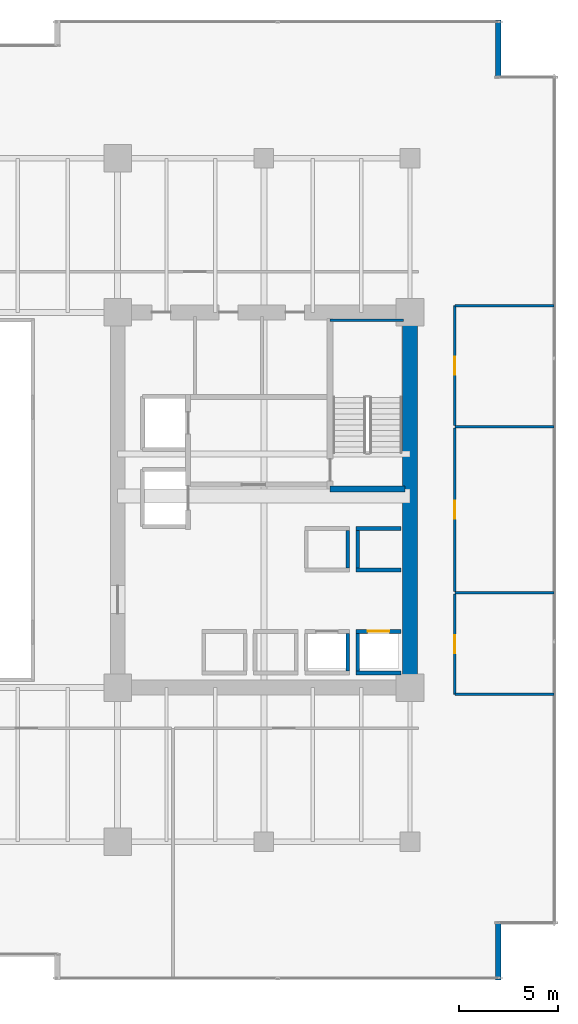
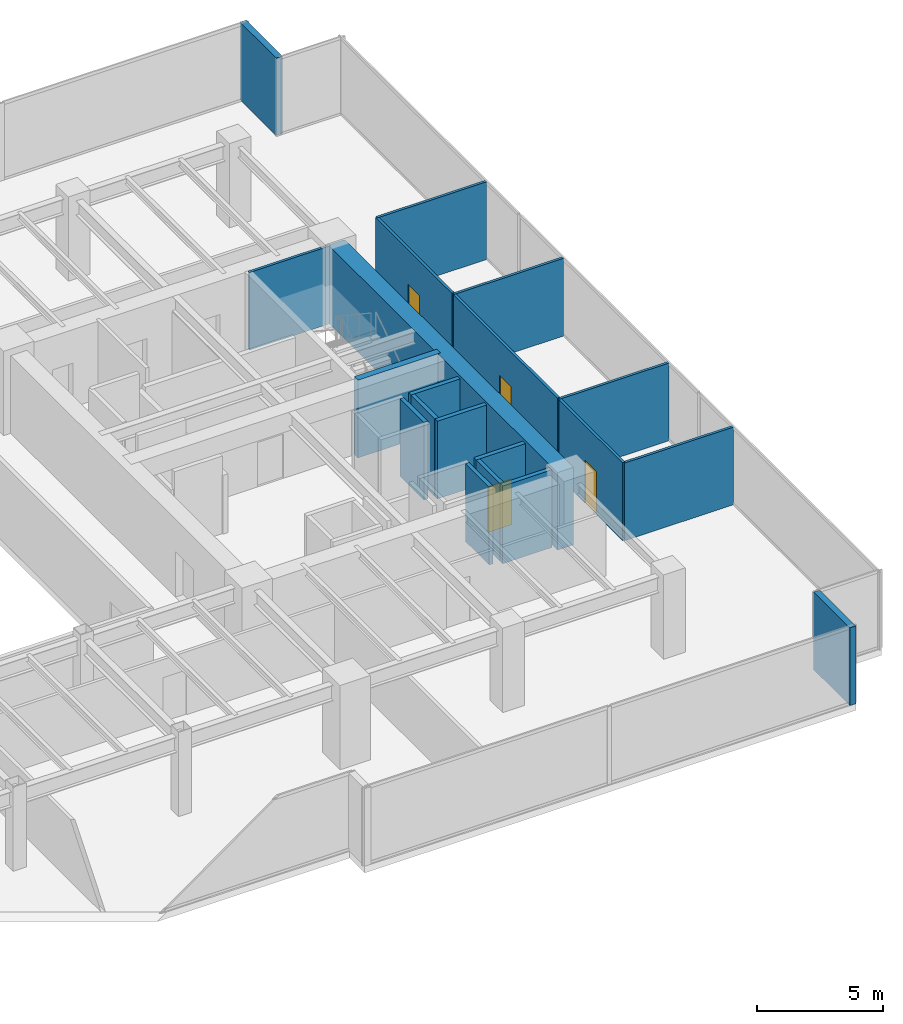
# One storey, part 32 of 35: 20 walls, 4 doors, 4 openings.
"""IFC4 building model written with IfcOpenShell, lengths in metres."""

from ifc_helpers import new_model, si_unit, direction, frame, frame_2d, origin, place, context, subcontext, project, spatial, rectangle, extrude, source, transform, mapped, material, layer, layer_set, type_object, type_shapes, element, fill, save


model = new_model("IFC4")

# Units and contexts
model_context = context("Model", 3, precision=1e-05, world=origin(), true_north=direction((0.0, 1.0)))
body_context = subcontext(model_context, "Body", "Model", "MODEL_VIEW")
ifc_project = project(units=[si_unit("LENGTHUNIT", "METRE"), si_unit("AREAUNIT", "SQUARE_METRE"), si_unit("VOLUMEUNIT", "CUBIC_METRE"), si_unit("PLANEANGLEUNIT", "RADIAN"), si_unit("MASSUNIT", "GRAM", prefix="KILO")], contexts=[model_context])

# Site, building, storey
site_placement = place(None, origin())
site = spatial("IfcSite", under=ifc_project, at=site_placement, CompositionType="ELEMENT")
building_placement = place(site_placement, origin())
building = spatial("IfcBuilding", under=site, at=building_placement, Name="Haelvirn Gate Laboratories", CompositionType="ELEMENT")
storey_placement = place(building_placement, frame((0.0, 0.0, 45.699951171875)))
storey = spatial("IfcBuildingStorey", under=building, at=storey_placement, Name="L11", CompositionType="ELEMENT", Elevation=45.699951171875)

# Walls
ifc_material_1 = material(Name="Thermally-broken bronze aluminium rainscreen & mineral wool", Category="aluminium")
ifc_layer_1 = layer(ifc_material_1, 0.280029296875, Name="EW-TERR-280")
ifc_layer_set_1 = layer_set([ifc_layer_1], Name="Thermally-broken bronze aluminium rainscreen & mineral wool")
wall_type_1 = type_object("IfcWallType", Name="EW-TERR-280", PredefinedType="STANDARD", material=ifc_layer_set_1)
wall_1_placement = place(storey_placement, frame((71.860107421875, 0.0, 0.0), z_axis=(0.0, 0.0, 1.0), x_axis=(0.0, 1.0, 0.0)))
element("IfcWall", 1, at=wall_1_placement, inside=storey, type_object=wall_type_1, Name="L11 Atrium Recess Bronze Return Wall 05", PredefinedType="STANDARD", context=body_context, shape_type="SweptSolid", body=[
    extrude(rectangle(XDim=2.887939453125, YDim=0.280029296875, at=frame_2d((1.44384765625, 0.0))), origin(), (0.0, 0.0, 1.0), 3.780029296875),
])
wall_2_placement = place(storey_placement, frame((71.860107421875, 45.7119140625, 0.0), z_axis=(0.0, 0.0, 1.0), x_axis=(0.0, 1.0, 0.0)))
element("IfcWall", 2, at=wall_2_placement, inside=storey, type_object=wall_type_1, Name="L11 Atrium Recess Bronze Return Wall 09", PredefinedType="STANDARD", context=body_context, shape_type="SweptSolid", body=[
    extrude(rectangle(XDim=2.88818359375, YDim=0.280029296875, at=frame_2d((1.444091796875, 0.0))), origin(), (0.0, 0.0, 1.0), 3.780029296875),
])
ifc_material_2 = material(Name="Lightweight acoustic gypsum board partition", Category="gypsum")
ifc_layer_2 = layer(ifc_material_2, 0.1201171875, Name="IW-PART-120")
ifc_layer_set_2 = layer_set([ifc_layer_2], Name="Lightweight acoustic gypsum board partition")
wall_type_2 = type_object("IfcWallType", Name="IW-PART-120", PredefinedType="PARTITIONING", material=ifc_layer_set_2)
for number, where, z_axis, x_axis, name in (
    (3, (69.669921875, 14.465087890625, 0.0), (0.0, 0.0, 1.0), (1.0, 0.0, 0.0), "L11 Interior Wall IW-L11-ECAP-S"),
    (4, (69.669921875, 34.135009765625, 0.0), (0.0, 0.0, 1.0), (1.0, 0.0, 0.0), "L11 Interior Wall IW-L11-ECAP-N"),
):
    element("IfcWall", number, at=place(storey_placement, frame(where, z_axis=z_axis, x_axis=x_axis)), inside=storey, type_object=wall_type_2, Name=name, PredefinedType="PARTITIONING", context=body_context, shape_type="SweptSolid", body=[
        extrude(rectangle(XDim=5.02001953125, YDim=0.1201171875, at=frame_2d((2.510009765625, 0.0))), origin(), (0.0, 0.0, 1.0), 3.780029296875),
    ])

# Wall, opening, door
wall_3_placement = place(storey_placement, frame((69.669921875, 14.465087890625, 0.0), z_axis=(0.0, 0.0, 1.0), x_axis=(0.0, 1.0, 0.0)))
wall_3 = element("IfcWall", 5, at=wall_3_placement, inside=storey, type_object=wall_type_2, Name="L11 Interior Wall IW-L11-EPASS-01", PredefinedType="PARTITIONING", context=body_context, shape_type="SweptSolid", body=[
    extrude(rectangle(XDim=5.074951171875, YDim=0.1201171875, at=frame_2d((2.53759765625, 0.0))), origin(), (0.0, 0.0, 1.0), 3.780029296875),
])
opening_1_placement = place(wall_3_placement, frame((2.08740234375, 0.0, 0.0)))
opening_1 = element("IfcOpeningElement", 6, at=opening_1_placement, cuts=wall_3, Name="Opening D4", PredefinedType="OPENING", context=body_context, shape_type="SweptSolid", body=[
    extrude(rectangle(XDim=0.89990234375, YDim=2.10009765625, at=frame_2d((0.449951171875, 1.050048828125))), frame((0.0, 0.070068359375, 0.0), z_axis=(0.0, -1.0, 0.0), x_axis=(1.0, 0.0, 0.0)), (0.0, 0.0, 1.0), 0.14013671875),
])
ifc_material_3 = material(Name="Glazed aluminium-framed write-up door", Category="aluminium")
door_type_1 = type_object("IfcDoorType", Name="DR-OFF-900", OperationType="NOTDEFINED", PredefinedType="DOOR", material=ifc_material_3)
shared_shape_1 = source(origin(), body_context, "Body", "SweptSolid", [
    extrude(rectangle(XDim=0.89990234375, YDim=2.10009765625, at=frame_2d((0.449951171875, 1.050048828125))), frame((0.0, 0.02490234375, 0.0), z_axis=(0.0, -1.0, 0.0), x_axis=(1.0, 0.0, 0.0)), (0.0, 0.0, 1.0), 0.050048828125),
])
type_shapes(door_type_1, [shared_shape_1])
door_1_placement = place(opening_1_placement, origin())
door_1 = element("IfcDoor", 7, at=door_1_placement, inside=storey, type_object=door_type_1, Name="L11 Genomics Assay Laboratory Door E1", OperationType="SINGLE_SWING_LEFT", OverallHeight=2.10009765625, OverallWidth=0.89990234375, PredefinedType="DOOR", context=body_context, shape_type="MappedRepresentation", body=[
    mapped(shared_shape_1, transform((0.0, 0.0, 0.0), scale=1.0)),
])
fill(opening_1, door_1)

# Wall
wall_4_placement = place(storey_placement, frame((69.669921875, 19.60009765625, 0.0), z_axis=(0.0, 0.0, 1.0), x_axis=(1.0, 0.0, 0.0)))
element("IfcWall", 8, at=wall_4_placement, inside=storey, type_object=wall_type_2, Name="L11 Interior Wall IW-L11-EDIV-01", PredefinedType="PARTITIONING", context=body_context, shape_type="SweptSolid", body=[
    extrude(rectangle(XDim=5.02001953125, YDim=0.1201171875, at=frame_2d((2.510009765625, 0.0))), origin(), (0.0, 0.0, 1.0), 3.780029296875),
])

# Wall, opening, door
wall_5_placement = place(storey_placement, frame((69.669921875, 19.659912109375, 0.0), z_axis=(0.0, 0.0, 1.0), x_axis=(0.0, 1.0, 0.0)))
wall_5 = element("IfcWall", 9, at=wall_5_placement, inside=storey, type_object=wall_type_2, Name="L11 Interior Wall IW-L11-EPASS-02", PredefinedType="PARTITIONING", context=body_context, shape_type="SweptSolid", body=[
    extrude(rectangle(XDim=8.280029296875, YDim=0.1201171875, at=frame_2d((4.14013671875, 0.0))), origin(), (0.0, 0.0, 1.0), 3.780029296875),
])
opening_2_placement = place(wall_5_placement, frame((3.68994140625, 0.0, 0.0)))
opening_2 = element("IfcOpeningElement", 10, at=opening_2_placement, cuts=wall_5, Name="Opening D4", PredefinedType="OPENING", context=body_context, shape_type="SweptSolid", body=[
    extrude(rectangle(XDim=0.89990234375, YDim=2.10009765625, at=frame_2d((0.449951171875, 1.050048828125))), frame((0.0, 0.070068359375, 0.0), z_axis=(0.0, -1.0, 0.0), x_axis=(1.0, 0.0, 0.0)), (0.0, 0.0, 1.0), 0.14013671875),
])
door_2_placement = place(opening_2_placement, origin())
door_2 = element("IfcDoor", 11, at=door_2_placement, inside=storey, type_object=door_type_1, Name="L11 Proteomics Mass-Spec Laboratory Door E2", OperationType="SINGLE_SWING_RIGHT", OverallHeight=2.10009765625, OverallWidth=0.89990234375, PredefinedType="DOOR", context=body_context, shape_type="MappedRepresentation", body=[
    mapped(shared_shape_1, transform((0.0, 0.0, 0.0), scale=1.0)),
])
fill(opening_2, door_2)

# Wall
wall_6_placement = place(storey_placement, frame((69.669921875, 28.0, 0.0), z_axis=(0.0, 0.0, 1.0), x_axis=(1.0, 0.0, 0.0)))
element("IfcWall", 12, at=wall_6_placement, inside=storey, type_object=wall_type_2, Name="L11 Interior Wall IW-L11-EDIV-02", PredefinedType="PARTITIONING", context=body_context, shape_type="SweptSolid", body=[
    extrude(rectangle(XDim=5.02001953125, YDim=0.1201171875, at=frame_2d((2.510009765625, 0.0))), origin(), (0.0, 0.0, 1.0), 3.780029296875),
])

# Wall, opening, door
wall_7_placement = place(storey_placement, frame((69.669921875, 28.06005859375, 0.0), z_axis=(0.0, 0.0, 1.0), x_axis=(0.0, 1.0, 0.0)))
wall_7 = element("IfcWall", 13, at=wall_7_placement, inside=storey, type_object=wall_type_2, Name="L11 Interior Wall IW-L11-EPASS-03", PredefinedType="PARTITIONING", context=body_context, shape_type="SweptSolid", body=[
    extrude(rectangle(XDim=6.074951171875, YDim=0.1201171875, at=frame_2d((3.03759765625, 0.0))), origin(), (0.0, 0.0, 1.0), 3.780029296875),
])
opening_3_placement = place(wall_7_placement, frame((2.58740234375, 0.0, 0.0)))
opening_3 = element("IfcOpeningElement", 14, at=opening_3_placement, cuts=wall_7, Name="Opening D4", PredefinedType="OPENING", context=body_context, shape_type="SweptSolid", body=[
    extrude(rectangle(XDim=0.89990234375, YDim=2.10009765625, at=frame_2d((0.449951171875, 1.050048828125))), frame((0.0, 0.070068359375, 0.0), z_axis=(0.0, -1.0, 0.0), x_axis=(1.0, 0.0, 0.0)), (0.0, 0.0, 1.0), 0.14013671875),
])
door_3_placement = place(opening_3_placement, origin())
door_3 = element("IfcDoor", 15, at=door_3_placement, inside=storey, type_object=door_type_1, Name="L11 Chemical Synthesis Laboratory Door E3", OperationType="SINGLE_SWING_LEFT", OverallHeight=2.10009765625, OverallWidth=0.89990234375, PredefinedType="DOOR", context=body_context, shape_type="MappedRepresentation", body=[
    mapped(shared_shape_1, transform((0.0, 0.0, 0.0), scale=1.0)),
])
fill(opening_3, door_3)

# Walls
ifc_material_4 = material(Name="Concrete C40/50", Category="concrete")
ifc_layer_3 = layer(ifc_material_4, 0.179931640625, Name="IW-SHAFT-180")
ifc_layer_set_3 = layer_set([ifc_layer_3], Name="Concrete C40/50")
wall_type_3 = type_object("IfcWallType", Name="IW-SHAFT-180", PredefinedType="SOLIDWALL", material=ifc_layer_set_3)
for number, where, z_axis, x_axis, name in (
    (16, (64.75, 15.64990234375, 0.0), (0.0, 0.0, 1.0), (0.0, 1.0, 0.0), "L11 Interior Wall IW-L11-PL3-SD"),
    (17, (64.25, 15.64990234375, 0.0), (0.0, 0.0, 1.0), (0.0, 1.0, 0.0), "L11 Interior Wall IW-L11-PL4-SDE"),
):
    element("IfcWall", number, at=place(storey_placement, frame(where, z_axis=z_axis, x_axis=x_axis)), inside=storey, type_object=wall_type_3, Name=name, PredefinedType="SOLIDWALL", context=body_context, shape_type="SweptSolid", body=[
        extrude(rectangle(XDim=1.900146484375, YDim=0.179931640625, at=frame_2d((0.9501953125, 0.0))), origin(), (0.0, 0.0, 1.0), 3.780029296875),
    ])
for number, where, z_axis, x_axis, name in (
    (18, (64.75, 20.85009765625, 0.0), (0.0, 0.0, 1.0), (0.0, 1.0, 0.0), "L11 Interior Wall IW-L11-PL11-SD"),
    (19, (64.25, 20.85009765625, 0.0), (0.0, 0.0, 1.0), (0.0, 1.0, 0.0), "L11 Interior Wall IW-L11-PL12-SDE"),
):
    element("IfcWall", number, at=place(storey_placement, frame(where, z_axis=z_axis, x_axis=x_axis)), inside=storey, type_object=wall_type_3, Name=name, PredefinedType="SOLIDWALL", context=body_context, shape_type="SweptSolid", body=[
        extrude(rectangle(XDim=1.89990234375, YDim=0.179931640625, at=frame_2d((0.949951171875, 0.0))), origin(), (0.0, 0.0, 1.0), 3.780029296875),
    ])

# Wall, opening, door
ifc_layer_4 = layer(ifc_material_4, 0.199951171875, Name="IW-SHAFT-200")
ifc_layer_set_4 = layer_set([ifc_layer_4], Name="Concrete C40/50")
wall_type_4 = type_object("IfcWallType", Name="IW-SHAFT-200", PredefinedType="SOLIDWALL", material=ifc_layer_set_4)
wall_8_placement = place(storey_placement, frame((64.669921875, 17.64990234375, 0.0), z_axis=(0.0, 0.0, 1.0), x_axis=(1.0, 0.0, 0.0)))
wall_8 = element("IfcWall", 20, at=wall_8_placement, inside=storey, type_object=wall_type_4, Name="L11 Interior Wall IW-L11-PL3-FR", PredefinedType="SOLIDWALL", context=body_context, shape_type="SweptSolid", body=[
    extrude(rectangle(XDim=2.260009765625, YDim=0.199951171875, at=frame_2d((1.1298828125, 0.0))), origin(), (0.0, 0.0, 1.0), 3.780029296875),
])
opening_4_placement = place(wall_8_placement, frame((0.580078125, 0.0, 0.0)))
opening_4 = element("IfcOpeningElement", 21, at=opening_4_placement, cuts=wall_8, Name="Opening LD2", PredefinedType="OPENING", context=body_context, shape_type="SweptSolid", body=[
    extrude(rectangle(XDim=1.10009765625, YDim=2.219970703125, at=frame_2d((0.550048828125, 1.10986328125))), frame((0.0, 0.10986328125, 0.0), z_axis=(0.0, -1.0, 0.0), x_axis=(1.0, 0.0, 0.0)), (0.0, 0.0, 1.0), 0.219970703125),
])
ifc_material_5 = material(Name="Bronze stainless 316L sliding lift landing door")
door_type_2 = type_object("IfcDoorType", Name="DR-LD-1100", OperationType="NOTDEFINED", PredefinedType="USERDEFINED", material=ifc_material_5)
shared_shape_2 = source(origin(), body_context, "Body", "SweptSolid", [
    extrude(rectangle(XDim=1.10009765625, YDim=2.219970703125, at=frame_2d((0.550048828125, 1.10986328125))), frame((0.0, 0.02490234375, 0.0), z_axis=(0.0, -1.0, 0.0), x_axis=(1.0, 0.0, 0.0)), (0.0, 0.0, 1.0), 0.050048828125),
])
type_shapes(door_type_2, [shared_shape_2])
door_4_placement = place(opening_4_placement, origin())
door_4 = element("IfcDoor", 22, at=door_4_placement, inside=storey, type_object=door_type_2, Name="L11 Passenger Lift PL3 Landing Door", ObjectType="LANDING_DOOR", OperationType="SLIDING_TO_LEFT", OverallHeight=2.219970703125, OverallWidth=1.10009765625, PredefinedType="USERDEFINED", context=body_context, shape_type="MappedRepresentation", body=[
    mapped(shared_shape_2, transform((0.0, 0.0, 0.0), scale=1.0)),
])
fill(opening_4, door_4)

# Walls
for number, where, z_axis, x_axis, name in (
    (23, (64.669921875, 15.550048828125, 0.0), (0.0, 0.0, 1.0), (1.0, 0.0, 0.0), "L11 Interior Wall IW-L11-PL3-BK"),
    (24, (64.669921875, 20.75, 0.0), (0.0, 0.0, 1.0), (1.0, 0.0, 0.0), "L11 Interior Wall IW-L11-PL11-FR"),
    (25, (64.669921875, 22.85009765625, 0.0), (0.0, 0.0, 1.0), (1.0, 0.0, 0.0), "L11 Interior Wall IW-L11-PL11-BK"),
):
    element("IfcWall", number, at=place(storey_placement, frame(where, z_axis=z_axis, x_axis=x_axis)), inside=storey, type_object=wall_type_4, Name=name, PredefinedType="SOLIDWALL", context=body_context, shape_type="SweptSolid", body=[
        extrude(rectangle(XDim=2.260009765625, YDim=0.199951171875, at=frame_2d((1.1298828125, 0.0))), origin(), (0.0, 0.0, 1.0), 3.780029296875),
    ])
ifc_material_6 = material(Name="Concrete C70/85", Category="concrete")
ifc_layer_5 = layer(ifc_material_6, 0.75, Name="SW-CORE-750")
ifc_layer_set_5 = layer_set([ifc_layer_5], Name="Concrete C70/85")
wall_type_5 = type_object("IfcWallType", Name="SW-CORE-750", PredefinedType="SHEAR", material=ifc_layer_set_5)
wall_9_placement = place(storey_placement, frame((67.39990234375, 15.175048828125, 0.0), z_axis=(0.0, 0.0, 1.0), x_axis=(0.0, 1.0, 0.0)))
element("IfcWall", 26, at=wall_9_placement, inside=storey, type_object=wall_type_5, Name="L11 E Core Shear Wall E", PredefinedType="SHEAR", context=body_context, shape_type="SweptSolid", body=[
    extrude(rectangle(XDim=18.25, YDim=0.75, at=frame_2d((9.125, 0.0))), origin(), (0.0, 0.0, 1.0), 3.780029296875),
])
ifc_material_7 = material(Name="Concrete C50/60", Category="concrete")
ifc_layer_6 = layer(ifc_material_7, 0.1201171875, Name="SW-LINER-120")
ifc_layer_set_6 = layer_set([ifc_layer_6], Name="Concrete C50/60")
wall_type_6 = type_object("IfcWallType", Name="SW-LINER-120", PredefinedType="SOLIDWALL", material=ifc_layer_set_6)
wall_10_placement = place(storey_placement, frame((63.35009765625, 33.39990234375, 0.0), z_axis=(0.0, 0.0, 1.0), x_axis=(1.0, 0.0, 0.0)))
element("IfcWall", 27, at=wall_10_placement, inside=storey, type_object=wall_type_6, Name="L11 E Core Stair Shaft Liner Wall N", PredefinedType="SOLIDWALL", context=body_context, shape_type="SweptSolid", body=[
    extrude(rectangle(XDim=3.719970703125, YDim=0.1201171875, at=frame_2d((1.85986328125, 0.0))), origin(), (0.0, 0.0, 1.0), 3.780029296875),
])
ifc_layer_7 = layer(ifc_material_7, 0.300048828125, Name="SW-STAIR-300")
ifc_layer_set_7 = layer_set([ifc_layer_7], Name="Concrete C50/60")
wall_type_7 = type_object("IfcWallType", Name="SW-STAIR-300", PredefinedType="SHEAR", material=ifc_layer_set_7)
wall_11_placement = place(storey_placement, frame((63.35009765625, 24.85009765625, 0.0), z_axis=(0.0, 0.0, 1.0), x_axis=(1.0, 0.0, 0.0)))
element("IfcWall", 28, at=wall_11_placement, inside=storey, type_object=wall_type_7, Name="L11 E Core Stair Shaft Structural Wall S", PredefinedType="SHEAR", context=body_context, shape_type="SweptSolid", body=[
    extrude(rectangle(XDim=3.7998046875, YDim=0.300048828125, at=frame_2d((1.89990234375, 0.0))), origin(), (0.0, 0.0, 1.0), 3.780029296875),
])

save(model, "model.ifc")
